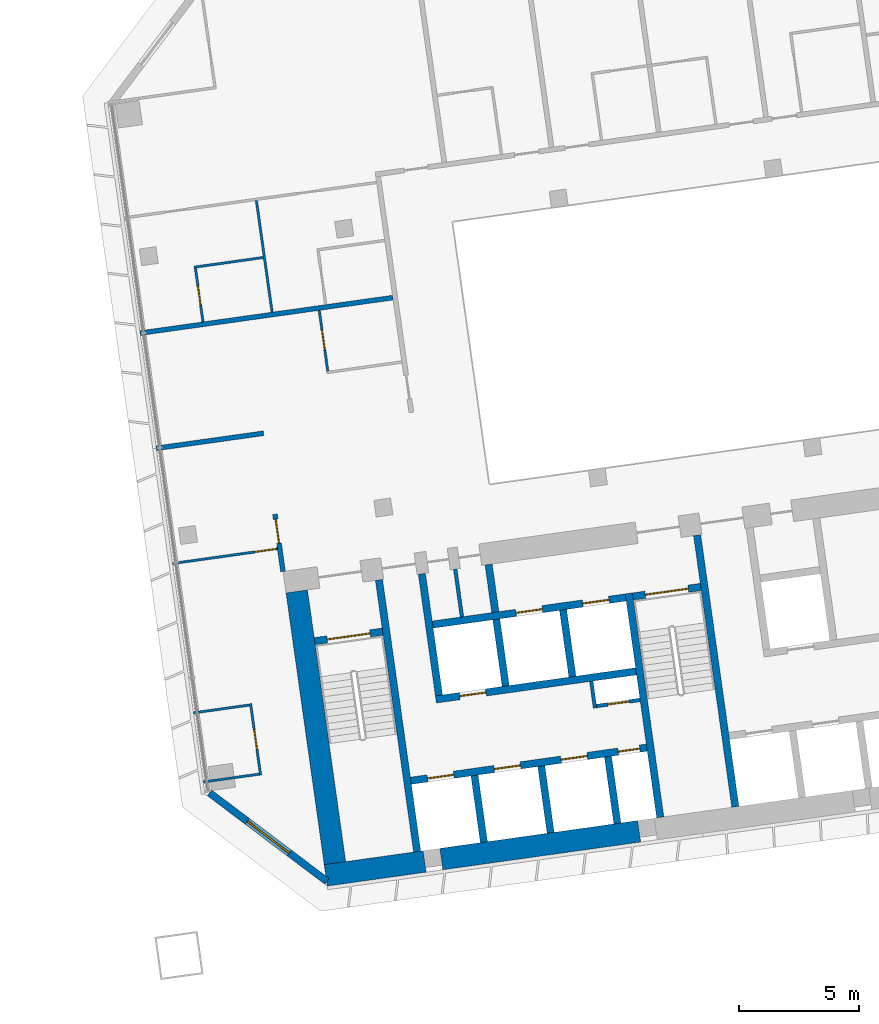
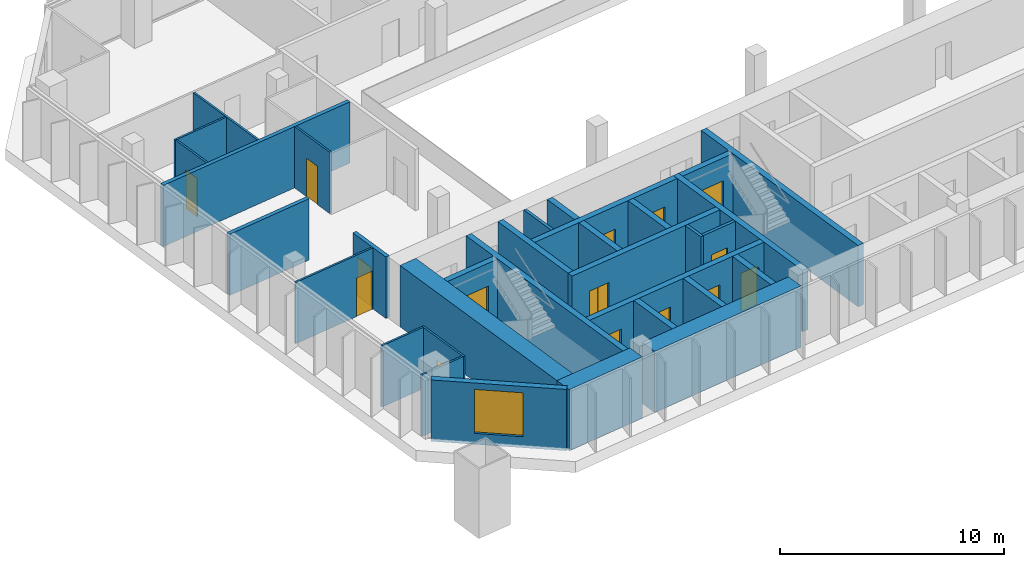
# One storey, part 18 of 24: 33 walls, 15 doors, 1 window, 16 openings.
"""IFC4 building model written with IfcOpenShell, lengths in metres."""

import ifcopenshell
import ifcopenshell.guid

model = None  # the IFC model being written
_history = None  # IfcOwnerHistory: only IFC2X3 demands one
_inside = {}  # id of a spatial element -> (the spatial element, [elements in it])
_under = {}  # id of a project, library or spatial element -> (it, [spatial elements below it])
_declared = {}  # id of a project -> (the project, [libraries it declares])
_typed = {}  # id of a type object -> (the type object, [elements of that type])
_made_of = {}  # id of a material, layer set ... -> (it, [elements and type objects made of it])


def new_model(schema):
    """Start an empty IFC model of exactly this schema.

    Asked for "IFC4X3", IfcOpenShell would pick the latest addendum, in which some entities
    have other attributes; the version numbers below select the first issue.
    IFC2X3 requires an IfcOwnerHistory on every rooted entity: one is made here for all.
    """
    global model, _history
    if schema == "IFC4X3":
        model = ifcopenshell.file(schema_version=(4, 3, 0, 0))
    else:
        model = ifcopenshell.file(schema=schema)
    _inside.clear()
    _under.clear()
    _declared.clear()
    _typed.clear()
    _made_of.clear()
    _history = None
    if model.schema == "IFC2X3":
        org = make("IfcOrganization", Name="unknown")
        user = make(
            "IfcPersonAndOrganization",
            ThePerson=make("IfcPerson", FamilyName="unknown"),
            TheOrganization=org,
        )
        app = make(
            "IfcApplication",
            ApplicationDeveloper=org,
            Version="unknown",
            ApplicationFullName="unknown",
            ApplicationIdentifier="unknown",
        )
        _history = make(
            "IfcOwnerHistory",
            OwningUser=user,
            OwningApplication=app,
            ChangeAction="ADDED",
            CreationDate=0,
        )
    return model


def make(cls, **values):
    """One entity of the class cls with the attributes given. An attribute that is None is left unset."""
    return model.create_entity(
        cls, **{name: value for name, value in values.items() if value is not None}
    )


def rooted(cls, **values):
    """An entity with a GlobalId (a new one), such as an element, a storey or a relation."""
    return make(cls, GlobalId=ifcopenshell.guid.new(), OwnerHistory=_history, **values)


def si_unit(unit_type, name, prefix=None):
    """IfcSIUnit, for example si_unit("LENGTHUNIT", "METRE", prefix="MILLI")."""
    return make("IfcSIUnit", UnitType=unit_type, Prefix=prefix, Name=name)


def assignment(units):
    """IfcUnitAssignment: the units of a project."""
    return None if units is None else make("IfcUnitAssignment", Units=units)


def point(xyz):
    """IfcCartesianPoint."""
    return None if xyz is None else make("IfcCartesianPoint", Coordinates=xyz)


def direction(xyz):
    """IfcDirection."""
    return None if xyz is None else make("IfcDirection", DirectionRatios=xyz)


def frame(location, z_axis=None, x_axis=None):
    """IfcAxis2Placement3D, a coordinate frame: its origin and axes. An axis left out is left unset."""
    return make(
        "IfcAxis2Placement3D",
        Location=point(location),
        Axis=direction(z_axis),
        RefDirection=direction(x_axis),
    )


def frame_2d(location, x_axis=None):
    """IfcAxis2Placement2D, a coordinate frame in the plane: its origin and x axis."""
    return make(
        "IfcAxis2Placement2D", Location=point(location), RefDirection=direction(x_axis)
    )


def origin():
    """The frame at (0, 0, 0) with its axes left unset."""
    return frame((0.0, 0.0, 0.0))


def place(relative_to, where):
    """IfcLocalPlacement: puts the frame where relative to a parent placement (None: the world)."""
    return make(
        "IfcLocalPlacement", PlacementRelTo=relative_to, RelativePlacement=where
    )


def context(
    kind, dimensions, precision=None, world=None, true_north=None, identifier=None
):
    """IfcGeometricRepresentationContext, for example the 3D "Model" context."""
    return make(
        "IfcGeometricRepresentationContext",
        ContextIdentifier=identifier,
        ContextType=kind,
        CoordinateSpaceDimension=dimensions,
        Precision=precision,
        WorldCoordinateSystem=world,
        TrueNorth=true_north,
    )


def subcontext(parent, identifier, kind, view, scale=None):
    """IfcGeometricRepresentationSubContext, for example "Body" below "Model"."""
    return make(
        "IfcGeometricRepresentationSubContext",
        ContextIdentifier=identifier,
        ContextType=kind,
        ParentContext=parent,
        TargetScale=scale,
        TargetView=view,
    )


def project(units=None, contexts=None):
    """IfcProject with its units and contexts."""
    return rooted(
        "IfcProject",
        Name="project",
        RepresentationContexts=contexts,
        UnitsInContext=assignment(units),
    )


def spatial(cls, under=None, at=None, **own):
    """A site, building, storey or space (cls), placed at a placement, below another one or the project."""
    s = rooted(cls, ObjectPlacement=at, **own)
    if under is not None:
        _under.setdefault(under.id(), (under, []))[1].append(s)
    return s


def profile(cls, at=None, kind="AREA", **sizes):
    """A parametric profile (cls). Its sizes go by their IFC names, for example OverallWidth=200.0."""
    return make(cls, ProfileType=kind, Position=at, **sizes)


def rectangle(**sizes):
    """IfcRectangleProfileDef."""
    return profile("IfcRectangleProfileDef", **sizes)


def extrude(swept, where, along, depth):
    """IfcExtrudedAreaSolid: the profile swept, set in the frame where, extruded along a direction by depth."""
    return make(
        "IfcExtrudedAreaSolid",
        SweptArea=swept,
        Position=where,
        ExtrudedDirection=direction(along),
        Depth=depth,
    )


def shape(context_of_items, identifier, shape_type, items):
    """IfcShapeRepresentation: the items that make up one representation, for example the "Body"."""
    return make(
        "IfcShapeRepresentation",
        ContextOfItems=context_of_items,
        RepresentationIdentifier=identifier,
        RepresentationType=shape_type,
        Items=items,
    )


def material(Name=None, Category=None):
    """IfcMaterial."""
    return make("IfcMaterial", Name=Name, Category=Category)


def layer(
    of_material, thickness, ventilated=None, Name=None, Category=None, Priority=None
):
    """IfcMaterialLayer: one layer of a wall or slab, of a material (None: an air gap)."""
    return make(
        "IfcMaterialLayer",
        Material=of_material,
        LayerThickness=thickness,
        IsVentilated=ventilated,
        Name=Name,
        Category=Category,
        Priority=Priority,
    )


def layer_set(layers, Name=None):
    """IfcMaterialLayerSet."""
    return make("IfcMaterialLayerSet", MaterialLayers=layers, LayerSetName=Name)


def made_of(thing, what):
    """Note that an element or type object is made of a material, layer set ...; save() writes the relation."""
    if what is not None:
        _made_of.setdefault(what.id(), (what, []))[1].append(thing)
    return thing


def type_object(cls, material=None, **own):
    """A type object (cls), such as IfcWallType, which elements share."""
    return made_of(rooted(cls, **own), material)


def element(
    cls,
    number,
    at=None,
    inside=None,
    cuts=None,
    type_object=None,
    material=None,
    context=None,
    identifier="Body",
    shape_type=None,
    held_by="IfcProductDefinitionShape",
    body=None,
    shapes=None,
    **own,
):
    """One element of the class cls, such as IfcWall. Its Tag is "e" and its number.

    at: its placement. inside: the storey or other place that contains it. cuts: it is an
    opening in that element (IfcRelVoidsElement). A single representation is given by context,
    identifier, shape_type and body (its items); several are given by shapes. held_by: the class
    of the entity that holds the representations. save() writes the other relations.
    """
    e = rooted(cls, Tag="e%d" % number, ObjectPlacement=at, **own)
    if body is not None:
        shapes = [shape(context, identifier, shape_type, body)]
    if shapes is not None:
        e.Representation = make(held_by, Representations=shapes)
    if inside is not None:
        _inside.setdefault(inside.id(), (inside, []))[1].append(e)
    if cuts is not None:
        rooted(
            "IfcRelVoidsElement", RelatingBuildingElement=cuts, RelatedOpeningElement=e
        )
    if type_object is not None:
        _typed.setdefault(type_object.id(), (type_object, []))[1].append(e)
    return made_of(e, material)


def fill(opening, filler):
    """IfcRelFillsElement: the door or window that sits in an opening."""
    return rooted(
        "IfcRelFillsElement",
        RelatingOpeningElement=opening,
        RelatedBuildingElement=filler,
    )


def aggregate(whole, parts):
    """IfcRelAggregates: a whole, such as a stair, and the parts it consists of."""
    return rooted("IfcRelAggregates", RelatingObject=whole, RelatedObjects=parts)


def save(model, path):
    """Write the relations noted so far, then the file.

    IfcRelAggregates (storeys below a building ...), IfcRelContainedInSpatialStructure (elements
    in a storey), IfcRelDefinesByType, IfcRelAssociatesMaterial and IfcRelDeclares: one each for
    every whole, place, type object, material and project.
    """
    for whole, parts in _under.values():
        aggregate(whole, parts)
    for where, things in _inside.values():
        rooted(
            "IfcRelContainedInSpatialStructure",
            RelatedElements=things,
            RelatingStructure=where,
        )
    for kind, things in _typed.values():
        rooted("IfcRelDefinesByType", RelatedObjects=things, RelatingType=kind)
    for what, things in _made_of.values():
        rooted("IfcRelAssociatesMaterial", RelatedObjects=things, RelatingMaterial=what)
    for by, libraries in _declared.values():
        rooted("IfcRelDeclares", RelatingContext=by, RelatedDefinitions=libraries)
    model.write(path)


model = new_model("IFC4")

# Units and contexts
model_context = context("Model", 3, precision=1e-05, world=origin(), true_north=direction((0.0, 1.0)))
body_context = subcontext(model_context, "Body", "Model", "MODEL_VIEW")
ifc_project = project(units=[si_unit("LENGTHUNIT", "METRE"), si_unit("AREAUNIT", "SQUARE_METRE"), si_unit("VOLUMEUNIT", "CUBIC_METRE"), si_unit("PLANEANGLEUNIT", "RADIAN"), si_unit("MASSUNIT", "GRAM", prefix="KILO")], contexts=[model_context])

# Site, building, storey
site_placement = place(None, origin())
site = spatial("IfcSite", under=ifc_project, at=site_placement, CompositionType="ELEMENT")
building_placement = place(site_placement, origin())
building = spatial("IfcBuilding", under=site, at=building_placement, Name="Mirante Cascada Hotel Towers", CompositionType="ELEMENT")
storey_placement = place(building_placement, frame((0.0, 0.0, 43.3)))
storey = spatial("IfcBuildingStorey", under=building, at=storey_placement, Name="L07", CompositionType="ELEMENT", Elevation=43.3)

# Walls
ifc_material_1 = material(Name="Fire-rated plasterboard on metal studs")
ifc_layer_1 = layer(ifc_material_1, 0.2)
ifc_layer_set_1 = layer_set([ifc_layer_1], Name="Compartment wall 200 EI 120")
wall_type_1 = type_object("IfcWallType", Name="Compartment wall 200 EI 120", PredefinedType="PARTITIONING", material=ifc_layer_set_1)
wall_1_placement = place(storey_placement, frame((30.0, -2.0, 0.0), z_axis=(0.0, 0.0, 1.0), x_axis=(0.9902674, 0.1391779, 0.0)))
element("IfcWall", 1, at=wall_1_placement, inside=storey, type_object=wall_type_1, Name="Wall 2-L07-08", PredefinedType="PARTITIONING", context=body_context, shape_type="SweptSolid", body=[
    extrude(rectangle(XDim=4.5, YDim=0.2, at=frame_2d((2.25, 0.0))), origin(), (0.0, 0.0, 1.0), 3.35),
])
wall_2_placement = place(storey_placement, frame((39.8242, 4.2615, 0.0), z_axis=(0.0, 0.0, 1.0), x_axis=(-0.9902686, -0.1391691, 0.0)))
element("IfcWall", 2, at=wall_2_placement, inside=storey, type_object=wall_type_1, Name="Wall 2-L07-13", PredefinedType="PARTITIONING", context=body_context, shape_type="SweptSolid", body=[
    extrude(rectangle(XDim=10.6001, YDim=0.2, at=frame_2d((5.3, 0.0))), origin(), (0.0, 0.0, 1.0), 3.35),
])

# Wall, opening, door
wall_3_placement = place(storey_placement, frame((34.9294, -4.7406, 0.0), z_axis=(0.0, 0.0, 1.0), x_axis=(0.1391635, -0.9902694, 0.0)))
wall_3 = element("IfcWall", 3, at=wall_3_placement, inside=storey, type_object=wall_type_1, Name="Wall 2-L07-29", PredefinedType="PARTITIONING", context=body_context, shape_type="SweptSolid", body=[
    extrude(rectangle(XDim=2.4001, YDim=0.2, at=frame_2d((1.2, 0.0))), origin(), (0.0, 0.0, 1.0), 3.35),
])
opening_1_placement = place(wall_3_placement, frame((0.2167, 0.0, 0.0)))
opening_1 = element("IfcOpeningElement", 4, at=opening_1_placement, cuts=wall_3, Name="Opening D2-L07-29", PredefinedType="OPENING", context=body_context, shape_type="SweptSolid", body=[
    extrude(rectangle(XDim=1.0, YDim=2.1, at=frame_2d((0.5, 1.05))), frame((0.0, 0.1, 0.0), z_axis=(0.0, -1.0, 0.0), x_axis=(1.0, 0.0, 0.0)), (0.0, 0.0, 1.0), 0.2),
])
ifc_material_2 = material(Name="Fire-rated timber door leaf", Category="wood")
door_type_1 = type_object("IfcDoorType", Name="Entrance door DG1 1000x2100 EI 60", OperationType="SINGLE_SWING_LEFT", PredefinedType="DOOR", material=ifc_material_2)
door_1_placement = place(opening_1_placement, frame((1.0, 0.0, 0.0), z_axis=(0.0, 0.0, 1.0), x_axis=(-1.0, 0.0, 0.0)))
door_1 = element("IfcDoor", 5, at=door_1_placement, inside=storey, type_object=door_type_1, Name="Door D2-L07-29", OperationType="SINGLE_SWING_RIGHT", OverallHeight=2.1, OverallWidth=1.0, PredefinedType="DOOR", context=body_context, shape_type="SweptSolid", body=[
    extrude(rectangle(XDim=1.0, YDim=2.1, at=frame_2d((0.5, 1.05))), frame((0.0, 0.025, 0.0), z_axis=(0.0, -1.0, 0.0), x_axis=(1.0, 0.0, 0.0)), (0.0, 0.0, 1.0), 0.05),
])
fill(opening_1, door_1)

# Wall
ifc_material_3 = material(Name="Masonry block", Category="masonry")
ifc_layer_2 = layer(ifc_material_3, 0.15)
ifc_layer_set_2 = layer_set([ifc_layer_2], Name="Core room partition 150 block EI 30")
wall_type_2 = type_object("IfcWallType", Name="Core room partition 150 block EI 30", PredefinedType="PARTITIONING", material=ifc_layer_set_2)
wall_4_placement = place(storey_placement, frame((48.2295, -12.793, 0.0), z_axis=(0.0, 0.0, 1.0), x_axis=(-0.1391935, 0.9902652, 0.0)))
element("IfcWall", 6, at=wall_4_placement, inside=storey, type_object=wall_type_2, Name="Core wall partition T2 L07 2", PredefinedType="PARTITIONING", context=body_context, shape_type="SweptSolid", body=[
    extrude(rectangle(XDim=1.1251, YDim=0.15, at=frame_2d((0.5626, 0.0))), origin(), (0.0, 0.0, 1.0), 3.35),
])

# Wall, opening, door
wall_5_placement = place(storey_placement, frame((48.2933, -12.7083, 0.0), z_axis=(0.0, 0.0, 1.0), x_axis=(0.990268, 0.1391734, 0.0)))
wall_5 = element("IfcWall", 7, at=wall_5_placement, inside=storey, type_object=wall_type_2, Name="Core wall partition T2 L07 3", PredefinedType="PARTITIONING", context=body_context, shape_type="SweptSolid", body=[
    extrude(rectangle(XDim=1.8251, YDim=0.15, at=frame_2d((0.9126, 0.0))), origin(), (0.0, 0.0, 1.0), 3.35),
])
opening_2_placement = place(wall_5_placement, frame((0.4625, 0.0, 0.0)))
opening_2 = element("IfcOpeningElement", 8, at=opening_2_placement, cuts=wall_5, Name="Opening D2-07-C23", PredefinedType="OPENING", context=body_context, shape_type="SweptSolid", body=[
    extrude(rectangle(XDim=0.9, YDim=2.1, at=frame_2d((0.45, 1.05))), frame((0.0, 0.075, 0.0), z_axis=(0.0, -1.0, 0.0), x_axis=(1.0, 0.0, 0.0)), (0.0, 0.0, 1.0), 0.15),
])
ifc_material_4 = material(Name="Hollow metal fire door leaf")
door_type_2 = type_object("IfcDoorType", Name="Fire door 900x2100 FD60", OperationType="NOTDEFINED", PredefinedType="DOOR", material=ifc_material_4)
door_2_placement = place(opening_2_placement, frame((0.9, 0.0, 0.0), z_axis=(0.0, 0.0, 1.0), x_axis=(-1.0, 0.0, 0.0)))
door_2 = element("IfcDoor", 9, at=door_2_placement, inside=storey, type_object=door_type_2, Name="Riser door T2 L07 23", OperationType="SINGLE_SWING_RIGHT", OverallHeight=2.1, OverallWidth=0.9, PredefinedType="DOOR", context=body_context, shape_type="SweptSolid", body=[
    extrude(rectangle(XDim=0.9, YDim=2.1, at=frame_2d((0.45, 1.05))), frame((0.0, 0.025, 0.0), z_axis=(0.0, -1.0, 0.0), x_axis=(1.0, 0.0, 0.0)), (0.0, 0.0, 1.0), 0.05),
])
fill(opening_2, door_2)

# Walls
wall_6_placement = place(storey_placement, frame((42.6979, -9.0009, 0.0), z_axis=(0.0, 0.0, 1.0), x_axis=(-0.1391529, 0.9902709, 0.0)))
element("IfcWall", 10, at=wall_6_placement, inside=storey, type_object=wall_type_2, Name="Core wall partition T2 L07 4", PredefinedType="PARTITIONING", context=body_context, shape_type="SweptSolid", body=[
    extrude(rectangle(XDim=2.0, YDim=0.15, at=frame_2d((1.0, 0.0))), origin(), (0.0, 0.0, 1.0), 3.35),
])
ifc_material_5 = material(Name="Masonry block", Category="masonry")
ifc_layer_3 = layer(ifc_material_5, 0.3)
ifc_layer_set_3 = layer_set([ifc_layer_3], Name="Core wall 300 block EI 120")
wall_type_3 = type_object("IfcWallType", Name="Core wall 300 block EI 120", PredefinedType="PARTITIONING", material=ifc_layer_set_3)
wall_7_placement = place(storey_placement, frame((44.0843, -8.8061, 0.0), z_axis=(0.0, 0.0, 1.0), x_axis=(-0.1391951, 0.990265, 0.0)))
element("IfcWall", 11, at=wall_7_placement, inside=storey, type_object=wall_type_3, Name="Core wall partition T2 L07 1", PredefinedType="PARTITIONING", context=body_context, shape_type="SweptSolid", body=[
    extrude(rectangle(XDim=2.0001, YDim=0.3, at=frame_2d((1.0001, 0.0))), origin(), (0.0, 0.0, 1.0), 3.35),
])
ifc_material_6 = material(Name="Plasterboard on metal studs")
ifc_layer_4 = layer(ifc_material_6, 0.1)
ifc_layer_set_4 = layer_set([ifc_layer_4], Name="Partition 100")
wall_type_4 = type_object("IfcWallType", Name="Partition 100", PredefinedType="PARTITIONING", material=ifc_layer_set_4)
for number, where, z_axis, x_axis, name in (
    (12, (31.9484, -15.8638, 0.0), (0.0, 0.0, 1.0), (0.9902661, 0.139187, 0.0), "Wall 2-L07-02"),
    (13, (33.872, -12.6649, 0.0), (0.0, 0.0, 1.0), (-0.9902661, -0.139187, 0.0), "Wall 2-L07-03"),
):
    element("IfcWall", number, at=place(storey_placement, frame(where, z_axis=z_axis, x_axis=x_axis)), inside=storey, type_object=wall_type_4, Name=name, PredefinedType="PARTITIONING", context=body_context, shape_type="SweptSolid", body=[
        extrude(rectangle(XDim=2.3501, YDim=0.1, at=frame_2d((1.175, 0.0))), origin(), (0.0, 0.0, 1.0), 3.35),
    ])

# Wall, opening, door
wall_8_placement = place(storey_placement, frame((30.6727, -6.7863, 0.0), z_axis=(0.0, 0.0, 1.0), x_axis=(0.9902665, 0.1391841, 0.0)))
wall_8 = element("IfcWall", 14, at=wall_8_placement, inside=storey, type_object=wall_type_4, Name="Wall 2-L07-04", PredefinedType="PARTITIONING", context=body_context, shape_type="SweptSolid", body=[
    extrude(rectangle(XDim=4.3999, YDim=0.1, at=frame_2d((2.2, 0.0))), origin(), (0.0, 0.0, 1.0), 3.35),
])
opening_3_placement = place(wall_8_placement, frame((3.45, 0.0, 0.0)))
opening_3 = element("IfcOpeningElement", 15, at=opening_3_placement, cuts=wall_8, Name="Opening D2-L07-02", PredefinedType="OPENING", context=body_context, shape_type="SweptSolid", body=[
    extrude(rectangle(XDim=0.9, YDim=2.1, at=frame_2d((0.45, 1.05))), frame((0.0, 0.05, 0.0), z_axis=(0.0, -1.0, 0.0), x_axis=(1.0, 0.0, 0.0)), (0.0, 0.0, 1.0), 0.1),
])
ifc_material_7 = material(Name="Timber door leaf", Category="wood")
door_type_3 = type_object("IfcDoorType", Name="Room door DG3 900x2100", OperationType="SINGLE_SWING_LEFT", PredefinedType="DOOR", material=ifc_material_7)
door_3_placement = place(opening_3_placement, frame((0.9, 0.0, 0.0), z_axis=(0.0, 0.0, 1.0), x_axis=(-1.0, 0.0, 0.0)))
door_3 = element("IfcDoor", 16, at=door_3_placement, inside=storey, type_object=door_type_3, Name="Door D2-L07-02", OperationType="SINGLE_SWING_RIGHT", OverallHeight=2.1, OverallWidth=0.9, PredefinedType="DOOR", context=body_context, shape_type="SweptSolid", body=[
    extrude(rectangle(XDim=0.9, YDim=2.1, at=frame_2d((0.45, 1.05))), frame((0.0, 0.025, 0.0), z_axis=(0.0, -1.0, 0.0), x_axis=(1.0, 0.0, 0.0)), (0.0, 0.0, 1.0), 0.05),
])
fill(opening_3, door_3)

# Wall
wall_9_placement = place(storey_placement, frame((34.4398, 5.9284, 0.0), z_axis=(0.0, 0.0, 1.0), x_axis=(-0.9902683, -0.1391714, 0.0)))
element("IfcWall", 17, at=wall_9_placement, inside=storey, type_object=wall_type_4, Name="Wall 2-L07-15", PredefinedType="PARTITIONING", context=body_context, shape_type="SweptSolid", body=[
    extrude(rectangle(XDim=2.9, YDim=0.1, at=frame_2d((1.45, 0.0))), origin(), (0.0, 0.0, 1.0), 3.35),
])

# Wall, opening, door
wall_10_placement = place(storey_placement, frame((33.9145, -12.6084, 0.0), z_axis=(0.0, 0.0, 1.0), x_axis=(0.1391624, -0.9902696, 0.0)))
wall_10 = element("IfcWall", 18, at=wall_10_placement, inside=storey, type_object=wall_type_4, Name="Wall 2-L07-27", PredefinedType="PARTITIONING", context=body_context, shape_type="SweptSolid", body=[
    extrude(rectangle(XDim=3.0001, YDim=0.1, at=frame_2d((1.5001, 0.0))), origin(), (0.0, 0.0, 1.0), 3.35),
])
opening_4_placement = place(wall_10_placement, frame((1.1, 0.0, 0.0)))
opening_4 = element("IfcOpeningElement", 19, at=opening_4_placement, cuts=wall_10, Name="Opening D2-L07-27", PredefinedType="OPENING", context=body_context, shape_type="SweptSolid", body=[
    extrude(rectangle(XDim=0.8, YDim=2.1, at=frame_2d((0.4, 1.05))), frame((0.0, 0.05, 0.0), z_axis=(0.0, -1.0, 0.0), x_axis=(1.0, 0.0, 0.0)), (0.0, 0.0, 1.0), 0.1),
])
ifc_material_8 = material(Name="Timber door leaf", Category="wood")
door_type_4 = type_object("IfcDoorType", Name="Bathroom door DG4 800x2100", OperationType="SINGLE_SWING_LEFT", PredefinedType="DOOR", material=ifc_material_8)
door_4_placement = place(opening_4_placement, origin())
door_4 = element("IfcDoor", 20, at=door_4_placement, inside=storey, type_object=door_type_4, Name="Door D2-L07-27", OperationType="SINGLE_SWING_LEFT", OverallHeight=2.1, OverallWidth=0.8, PredefinedType="DOOR", context=body_context, shape_type="SweptSolid", body=[
    extrude(rectangle(XDim=0.8, YDim=2.1, at=frame_2d((0.4, 1.05))), frame((0.0, 0.025, 0.0), z_axis=(0.0, -1.0, 0.0), x_axis=(1.0, 0.0, 0.0)), (0.0, 0.0, 1.0), 0.05),
])
fill(opening_4, door_4)

wall_11_placement = place(storey_placement, frame((31.9376, 3.2541, 0.0), z_axis=(0.0, 0.0, 1.0), x_axis=(-0.1391561, 0.9902705, 0.0)))
wall_11 = element("IfcWall", 21, at=wall_11_placement, inside=storey, type_object=wall_type_4, Name="Wall 2-L07-28", PredefinedType="PARTITIONING", context=body_context, shape_type="SweptSolid", body=[
    extrude(rectangle(XDim=2.25, YDim=0.1, at=frame_2d((1.125, 0.0))), origin(), (0.0, 0.0, 1.0), 3.35),
])
opening_5_placement = place(wall_11_placement, frame((0.7, 0.0, 0.0)))
opening_5 = element("IfcOpeningElement", 22, at=opening_5_placement, cuts=wall_11, Name="Opening D2-L07-28", PredefinedType="OPENING", context=body_context, shape_type="SweptSolid", body=[
    extrude(rectangle(XDim=0.8, YDim=2.1, at=frame_2d((0.4, 1.05))), frame((0.0, 0.05, 0.0), z_axis=(0.0, -1.0, 0.0), x_axis=(1.0, 0.0, 0.0)), (0.0, 0.0, 1.0), 0.1),
])
door_5_placement = place(opening_5_placement, frame((0.8, 0.0, 0.0), z_axis=(0.0, 0.0, 1.0), x_axis=(-1.0, 0.0, 0.0)))
door_5 = element("IfcDoor", 23, at=door_5_placement, inside=storey, type_object=door_type_4, Name="Door D2-L07-28", OperationType="SINGLE_SWING_RIGHT", OverallHeight=2.1, OverallWidth=0.8, PredefinedType="DOOR", context=body_context, shape_type="SweptSolid", body=[
    extrude(rectangle(XDim=0.8, YDim=2.1, at=frame_2d((0.4, 1.05))), frame((0.0, 0.025, 0.0), z_axis=(0.0, -1.0, 0.0), x_axis=(1.0, 0.0, 0.0)), (0.0, 0.0, 1.0), 0.05),
])
fill(opening_5, door_5)

# Wall
wall_12_placement = place(storey_placement, frame((34.1576, 8.2955, 0.0), z_axis=(0.0, 0.0, 1.0), x_axis=(0.139173, -0.9902681, 0.0)))
element("IfcWall", 24, at=wall_12_placement, inside=storey, type_object=wall_type_4, Name="Wall 2-L07-31", PredefinedType="PARTITIONING", context=body_context, shape_type="SweptSolid", body=[
    extrude(rectangle(XDim=4.6834, YDim=0.1, at=frame_2d((2.3417, 0.0))), origin(), (0.0, 0.0, 1.0), 3.35),
])

# Wall, opening, door
wall_13_placement = place(storey_placement, frame((37.1232, 1.2059, 0.0), z_axis=(0.0, 0.0, 1.0), x_axis=(-0.1391809, 0.990267, 0.0)))
wall_13 = element("IfcWall", 25, at=wall_13_placement, inside=storey, type_object=wall_type_4, Name="Wall 2-L07-32", PredefinedType="PARTITIONING", context=body_context, shape_type="SweptSolid", body=[
    extrude(rectangle(XDim=2.5499, YDim=0.1, at=frame_2d((1.275, 0.0))), origin(), (0.0, 0.0, 1.0), 3.35),
])
opening_6_placement = place(wall_13_placement, frame((0.9, 0.0, 0.0)))
opening_6 = element("IfcOpeningElement", 26, at=opening_6_placement, cuts=wall_13, Name="Opening D2-L07-31", PredefinedType="OPENING", context=body_context, shape_type="SweptSolid", body=[
    extrude(rectangle(XDim=0.8, YDim=2.1, at=frame_2d((0.4, 1.05))), frame((0.0, 0.05, 0.0), z_axis=(0.0, -1.0, 0.0), x_axis=(1.0, 0.0, 0.0)), (0.0, 0.0, 1.0), 0.1),
])
door_6_placement = place(opening_6_placement, origin())
door_6 = element("IfcDoor", 27, at=door_6_placement, inside=storey, type_object=door_type_4, Name="Door D2-L07-31", OperationType="SINGLE_SWING_LEFT", OverallHeight=2.1, OverallWidth=0.8, PredefinedType="DOOR", context=body_context, shape_type="SweptSolid", body=[
    extrude(rectangle(XDim=0.8, YDim=2.1, at=frame_2d((0.4, 1.05))), frame((0.0, 0.025, 0.0), z_axis=(0.0, -1.0, 0.0), x_axis=(1.0, 0.0, 0.0)), (0.0, 0.0, 1.0), 0.05),
])
fill(opening_6, door_6)

# Wall, opening, window
ifc_material_9 = material(Name="Precast concrete C40/50", Category="concrete")
ifc_layer_5 = layer(ifc_material_9, 0.3)
ifc_layer_set_5 = layer_set([ifc_layer_5], Name="Precast concrete C40/50 cladding wall 300")
wall_type_5 = type_object("IfcWallType", Name="Precast concrete C40/50 cladding wall 300", PredefinedType="STANDARD", material=ifc_layer_set_5)
wall_14_placement = place(storey_placement, frame((32.2074, -16.3138, 0.0), z_axis=(0.0, 0.0, 1.0), x_axis=(0.7986362, -0.6018141, 0.0)))
wall_14 = element("IfcWall", 28, at=wall_14_placement, inside=storey, type_object=wall_type_5, Name="Corner cladding wall T2 L07 inner rear", PredefinedType="STANDARD", context=body_context, shape_type="SweptSolid", body=[
    extrude(rectangle(XDim=6.1157, YDim=0.3, at=frame_2d((3.0578, 0.0))), origin(), (0.0, 0.0, 1.0), 3.35),
])
opening_7_placement = place(wall_14_placement, frame((1.9578, 0.0, 0.6)))
opening_7 = element("IfcOpeningElement", 29, at=opening_7_placement, cuts=wall_14, Name="Opening W2-07-05", PredefinedType="OPENING", context=body_context, shape_type="SweptSolid", body=[
    extrude(rectangle(XDim=2.2, YDim=2.4, at=frame_2d((1.1, 1.2))), frame((0.0, 0.15, 0.0), z_axis=(0.0, -1.0, 0.0), x_axis=(1.0, 0.0, 0.0)), (0.0, 0.0, 1.0), 0.3),
])
ifc_material_10 = material(Name="Aluminium frame with clear double glazing", Category="aluminium")
window_type = type_object("IfcWindowType", Name="Corner suite window 2200x2400", PartitioningType="DOUBLE_PANEL_VERTICAL", PredefinedType="WINDOW", material=ifc_material_10)
window_placement = place(opening_7_placement, origin())
window = element("IfcWindow", 30, at=window_placement, inside=storey, type_object=window_type, Name="Window W2-07-05", OverallHeight=2.4, OverallWidth=2.2, PartitioningType="SINGLE_PANEL", PredefinedType="WINDOW", context=body_context, shape_type="SweptSolid", body=[
    extrude(rectangle(XDim=2.2, YDim=2.4, at=frame_2d((1.1, 1.2))), frame((0.0, 0.03, 0.0), z_axis=(0.0, -1.0, 0.0), x_axis=(1.0, 0.0, 0.0)), (0.0, 0.0, 1.0), 0.06),
])
fill(opening_7, window)

# Walls
ifc_material_11 = material(Name="Concrete C50/60", Category="concrete")
ifc_layer_6 = layer(ifc_material_11, 0.3)
ifc_layer_set_6 = layer_set([ifc_layer_6], Name="RC core wall 300 C50/60")
wall_type_6 = type_object("IfcWallType", Name="RC core wall 300 C50/60", PredefinedType="SHEAR", material=ifc_layer_set_6)
wall_15_placement = place(storey_placement, frame((40.8373, -18.7548, 0.0), z_axis=(0.0, 0.0, 1.0), x_axis=(-0.1391749, 0.9902678, 0.0)))
element("IfcWall", 31, at=wall_15_placement, inside=storey, type_object=wall_type_6, Name="Core wall T2:L07:5", PredefinedType="SHEAR", context=body_context, shape_type="SweptSolid", body=[
    extrude(rectangle(XDim=11.4, YDim=0.3, at=frame_2d((5.7, 0.0))), origin(), (0.0, 0.0, 1.0), 3.35),
])
wall_16_placement = place(storey_placement, frame((50.938, -17.3352, 0.0), z_axis=(0.0, 0.0, 1.0), x_axis=(-0.1391706, 0.9902684, 0.0)))
element("IfcWall", 32, at=wall_16_placement, inside=storey, type_object=wall_type_6, Name="Core wall T2:L07:6", PredefinedType="SHEAR", context=body_context, shape_type="SweptSolid", body=[
    extrude(rectangle(XDim=9.4, YDim=0.3, at=frame_2d((4.7, 0.0))), origin(), (0.0, 0.0, 1.0), 3.35),
])
wall_17_placement = place(storey_placement, frame((54.0574, -16.8968, 0.0), z_axis=(0.0, 0.0, 1.0), x_axis=(-0.1391761, 0.9902677, 0.0)))
element("IfcWall", 33, at=wall_17_placement, inside=storey, type_object=wall_type_6, Name="Core wall T2:L07:7", PredefinedType="SHEAR", context=body_context, shape_type="SweptSolid", body=[
    extrude(rectangle(XDim=11.3999, YDim=0.3, at=frame_2d((5.7, 0.0))), origin(), (0.0, 0.0, 1.0), 3.35),
])

# Wall, opening, door
wall_18_placement = place(storey_placement, frame((36.5791, -10.0123, 0.0), z_axis=(0.0, 0.0, 1.0), x_axis=(0.9902704, 0.1391564, 0.0)))
wall_18 = element("IfcWall", 34, at=wall_18_placement, inside=storey, type_object=wall_type_6, Name="Core wall T2:L07:9", PredefinedType="SHEAR", context=body_context, shape_type="SweptSolid", body=[
    extrude(rectangle(XDim=2.85, YDim=0.3, at=frame_2d((1.425, 0.0))), origin(), (0.0, 0.0, 1.0), 3.35),
])
opening_8_placement = place(wall_18_placement, frame((0.525, 0.0, 0.0)))
opening_8 = element("IfcOpeningElement", 35, at=opening_8_placement, cuts=wall_18, Name="Opening D2-07-C13", PredefinedType="OPENING", context=body_context, shape_type="SweptSolid", body=[
    extrude(rectangle(XDim=1.8, YDim=2.1, at=frame_2d((0.9, 1.05))), frame((0.0, 0.15, 0.0), z_axis=(0.0, -1.0, 0.0), x_axis=(1.0, 0.0, 0.0)), (0.0, 0.0, 1.0), 0.3),
])
ifc_material_12 = material(Name="Hollow metal fire door leaf")
door_type_5 = type_object("IfcDoorType", Name="Double fire door 1800x2100 FD60", OperationType="DOUBLE_DOOR_SINGLE_SWING", PredefinedType="DOOR", material=ifc_material_12)
door_7_placement = place(opening_8_placement, frame((1.8, 0.0, 0.0), z_axis=(0.0, 0.0, 1.0), x_axis=(-1.0, 0.0, 0.0)))
door_7 = element("IfcDoor", 36, at=door_7_placement, inside=storey, type_object=door_type_5, Name="Stair door T2 L07 13", OperationType="DOUBLE_DOOR_SINGLE_SWING", OverallHeight=2.1, OverallWidth=1.8, PredefinedType="DOOR", context=body_context, shape_type="SweptSolid", body=[
    extrude(rectangle(XDim=0.895, YDim=2.1, at=frame_2d((0.4475, 1.05))), frame((0.0, 0.025, 0.0), z_axis=(0.0, -1.0, 0.0), x_axis=(1.0, 0.0, 0.0)), (0.0, 0.0, 1.0), 0.05),
    extrude(rectangle(XDim=0.895, YDim=2.1, at=frame_2d((1.3525, 1.05))), frame((0.0, 0.025, 0.0), z_axis=(0.0, -1.0, 0.0), x_axis=(1.0, 0.0, 0.0)), (0.0, 0.0, 1.0), 0.05),
])
fill(opening_8, door_7)

wall_19_placement = place(storey_placement, frame((49.7992, -8.1544, 0.0), z_axis=(0.0, 0.0, 1.0), x_axis=(0.9902656, 0.1391909, 0.0)))
wall_19 = element("IfcWall", 37, at=wall_19_placement, inside=storey, type_object=wall_type_6, Name="Core wall T2:L07:10", PredefinedType="SHEAR", context=body_context, shape_type="SweptSolid", body=[
    extrude(rectangle(XDim=2.85, YDim=0.3, at=frame_2d((1.425, 0.0))), origin(), (0.0, 0.0, 1.0), 3.35),
])
opening_9_placement = place(wall_19_placement, frame((0.525, 0.0, 0.0)))
opening_9 = element("IfcOpeningElement", 38, at=opening_9_placement, cuts=wall_19, Name="Opening D2-07-C15", PredefinedType="OPENING", context=body_context, shape_type="SweptSolid", body=[
    extrude(rectangle(XDim=1.8, YDim=2.1, at=frame_2d((0.9, 1.05))), frame((0.0, 0.15, 0.0), z_axis=(0.0, -1.0, 0.0), x_axis=(1.0, 0.0, 0.0)), (0.0, 0.0, 1.0), 0.3),
])
door_8_placement = place(opening_9_placement, frame((1.8, 0.0, 0.0), z_axis=(0.0, 0.0, 1.0), x_axis=(-1.0, 0.0, 0.0)))
door_8 = element("IfcDoor", 39, at=door_8_placement, inside=storey, type_object=door_type_5, Name="Stair door T2 L07 15", OperationType="DOUBLE_DOOR_SINGLE_SWING", OverallHeight=2.1, OverallWidth=1.8, PredefinedType="DOOR", context=body_context, shape_type="SweptSolid", body=[
    extrude(rectangle(XDim=0.895, YDim=2.1, at=frame_2d((0.4475, 1.05))), frame((0.0, 0.025, 0.0), z_axis=(0.0, -1.0, 0.0), x_axis=(1.0, 0.0, 0.0)), (0.0, 0.0, 1.0), 0.05),
    extrude(rectangle(XDim=0.895, YDim=2.1, at=frame_2d((1.3525, 1.05))), frame((0.0, 0.025, 0.0), z_axis=(0.0, -1.0, 0.0), x_axis=(1.0, 0.0, 0.0)), (0.0, 0.0, 1.0), 0.05),
])
fill(opening_9, door_8)

# Wall, openings, doors
wall_20_placement = place(storey_placement, frame((40.5753, -15.8126, 0.0), z_axis=(0.0, 0.0, 1.0), x_axis=(0.9902682, 0.1391725, 0.0)))
wall_20 = element("IfcWall", 40, at=wall_20_placement, inside=storey, type_object=wall_type_6, Name="Core wall T2:L07:12", PredefinedType="SHEAR", context=body_context, shape_type="SweptSolid", body=[
    extrude(rectangle(XDim=9.8999, YDim=0.3, at=frame_2d((4.95, 0.0))), origin(), (0.0, 0.0, 1.0), 3.35),
])
opening_10_placement = place(wall_20_placement, frame((0.7, 0.0, 0.0)))
opening_10 = element("IfcOpeningElement", 41, at=opening_10_placement, cuts=wall_20, Name="Opening LD", PredefinedType="OPENING", context=body_context, shape_type="SweptSolid", body=[
    extrude(rectangle(XDim=1.1, YDim=2.1, at=frame_2d((0.55, 1.05))), frame((0.0, 0.15, 0.0), z_axis=(0.0, -1.0, 0.0), x_axis=(1.0, 0.0, 0.0)), (0.0, 0.0, 1.0), 0.3),
])
opening_11_placement = place(wall_20_placement, frame((3.5, 0.0, 0.0)))
opening_11 = element("IfcOpeningElement", 42, at=opening_11_placement, cuts=wall_20, Name="Opening LD", PredefinedType="OPENING", context=body_context, shape_type="SweptSolid", body=[
    extrude(rectangle(XDim=1.1, YDim=2.1, at=frame_2d((0.55, 1.05))), frame((0.0, 0.15, 0.0), z_axis=(0.0, -1.0, 0.0), x_axis=(1.0, 0.0, 0.0)), (0.0, 0.0, 1.0), 0.3),
])
opening_12_placement = place(wall_20_placement, frame((6.3, 0.0, 0.0)))
opening_12 = element("IfcOpeningElement", 43, at=opening_12_placement, cuts=wall_20, Name="Opening LD", PredefinedType="OPENING", context=body_context, shape_type="SweptSolid", body=[
    extrude(rectangle(XDim=1.1, YDim=2.1, at=frame_2d((0.55, 1.05))), frame((0.0, 0.15, 0.0), z_axis=(0.0, -1.0, 0.0), x_axis=(1.0, 0.0, 0.0)), (0.0, 0.0, 1.0), 0.3),
])
opening_13_placement = place(wall_20_placement, frame((8.7, 0.0, 0.0)))
opening_13 = element("IfcOpeningElement", 44, at=opening_13_placement, cuts=wall_20, Name="Opening D2-07-C22", PredefinedType="OPENING", context=body_context, shape_type="SweptSolid", body=[
    extrude(rectangle(XDim=0.9, YDim=2.1, at=frame_2d((0.45, 1.05))), frame((0.0, 0.15, 0.0), z_axis=(0.0, -1.0, 0.0), x_axis=(1.0, 0.0, 0.0)), (0.0, 0.0, 1.0), 0.3),
])
door_9_placement = place(opening_13_placement, frame((0.9, 0.0, 0.0), z_axis=(0.0, 0.0, 1.0), x_axis=(-1.0, 0.0, 0.0)))
door_9 = element("IfcDoor", 45, at=door_9_placement, inside=storey, type_object=door_type_2, Name="Riser door T2 L07 22", OperationType="SINGLE_SWING_RIGHT", OverallHeight=2.1, OverallWidth=0.9, PredefinedType="DOOR", context=body_context, shape_type="SweptSolid", body=[
    extrude(rectangle(XDim=0.9, YDim=2.1, at=frame_2d((0.45, 1.05))), frame((0.0, 0.025, 0.0), z_axis=(0.0, -1.0, 0.0), x_axis=(1.0, 0.0, 0.0)), (0.0, 0.0, 1.0), 0.05),
])
fill(opening_13, door_9)
ifc_material_13 = material(Name="Stainless steel", Category="steel")
door_type_6 = type_object("IfcDoorType", Name="Lift landing door 1100x2100 EI 120", OperationType="DOUBLE_DOOR_SLIDING", PredefinedType="DOOR", material=ifc_material_13)
door_10_placement = place(opening_10_placement, origin())
door_10 = element("IfcDoor", 46, at=door_10_placement, inside=storey, type_object=door_type_6, Name="Lift landing door HR2-1 L07", OperationType="DOUBLE_DOOR_SLIDING", OverallHeight=2.1, OverallWidth=1.1, PredefinedType="DOOR", context=body_context, shape_type="SweptSolid", body=[
    extrude(rectangle(XDim=0.545, YDim=2.1, at=frame_2d((0.2725, 1.05))), frame((0.0, 0.025, 0.0), z_axis=(0.0, -1.0, 0.0), x_axis=(1.0, 0.0, 0.0)), (0.0, 0.0, 1.0), 0.05),
    extrude(rectangle(XDim=0.545, YDim=2.1, at=frame_2d((0.8275, 1.05))), frame((0.0, 0.025, 0.0), z_axis=(0.0, -1.0, 0.0), x_axis=(1.0, 0.0, 0.0)), (0.0, 0.0, 1.0), 0.05),
])
fill(opening_10, door_10)
door_11_placement = place(opening_11_placement, origin())
door_11 = element("IfcDoor", 47, at=door_11_placement, inside=storey, type_object=door_type_6, Name="Lift landing door HR2-2 L07", OperationType="DOUBLE_DOOR_SLIDING", OverallHeight=2.1, OverallWidth=1.1, PredefinedType="DOOR", context=body_context, shape_type="SweptSolid", body=[
    extrude(rectangle(XDim=0.545, YDim=2.1, at=frame_2d((0.2725, 1.05))), frame((0.0, 0.025, 0.0), z_axis=(0.0, -1.0, 0.0), x_axis=(1.0, 0.0, 0.0)), (0.0, 0.0, 1.0), 0.05),
    extrude(rectangle(XDim=0.545, YDim=2.1, at=frame_2d((0.8275, 1.05))), frame((0.0, 0.025, 0.0), z_axis=(0.0, -1.0, 0.0), x_axis=(1.0, 0.0, 0.0)), (0.0, 0.0, 1.0), 0.05),
])
fill(opening_11, door_11)
door_12_placement = place(opening_12_placement, origin())
door_12 = element("IfcDoor", 48, at=door_12_placement, inside=storey, type_object=door_type_6, Name="Lift landing door HR2-3 L07", OperationType="DOUBLE_DOOR_SLIDING", OverallHeight=2.1, OverallWidth=1.1, PredefinedType="DOOR", context=body_context, shape_type="SweptSolid", body=[
    extrude(rectangle(XDim=0.545, YDim=2.1, at=frame_2d((0.2725, 1.05))), frame((0.0, 0.025, 0.0), z_axis=(0.0, -1.0, 0.0), x_axis=(1.0, 0.0, 0.0)), (0.0, 0.0, 1.0), 0.05),
    extrude(rectangle(XDim=0.545, YDim=2.1, at=frame_2d((0.8275, 1.05))), frame((0.0, 0.025, 0.0), z_axis=(0.0, -1.0, 0.0), x_axis=(1.0, 0.0, 0.0)), (0.0, 0.0, 1.0), 0.05),
])
fill(opening_12, door_12)

# Wall, opening, door
wall_21_placement = place(storey_placement, frame((41.6153, -12.435, 0.0), z_axis=(0.0, 0.0, 1.0), x_axis=(0.9902691, 0.139166, 0.0)))
wall_21 = element("IfcWall", 49, at=wall_21_placement, inside=storey, type_object=wall_type_6, Name="Core wall T2:L07:13", PredefinedType="SHEAR", context=body_context, shape_type="SweptSolid", body=[
    extrude(rectangle(XDim=8.4, YDim=0.3, at=frame_2d((4.2, 0.0))), origin(), (0.0, 0.0, 1.0), 3.35),
])
opening_14_placement = place(wall_21_placement, frame((1.0, 0.0, 0.0)))
opening_14 = element("IfcOpeningElement", 50, at=opening_14_placement, cuts=wall_21, Name="Opening LD", PredefinedType="OPENING", context=body_context, shape_type="SweptSolid", body=[
    extrude(rectangle(XDim=1.1, YDim=2.1, at=frame_2d((0.55, 1.05))), frame((0.0, 0.15, 0.0), z_axis=(0.0, -1.0, 0.0), x_axis=(1.0, 0.0, 0.0)), (0.0, 0.0, 1.0), 0.3),
])
door_13_placement = place(opening_14_placement, origin())
door_13 = element("IfcDoor", 51, at=door_13_placement, inside=storey, type_object=door_type_6, Name="Lift landing door HR2-4 L07", OperationType="DOUBLE_DOOR_SLIDING", OverallHeight=2.1, OverallWidth=1.1, PredefinedType="DOOR", context=body_context, shape_type="SweptSolid", body=[
    extrude(rectangle(XDim=0.545, YDim=2.1, at=frame_2d((0.2725, 1.05))), frame((0.0, 0.025, 0.0), z_axis=(0.0, -1.0, 0.0), x_axis=(1.0, 0.0, 0.0)), (0.0, 0.0, 1.0), 0.05),
    extrude(rectangle(XDim=0.545, YDim=2.1, at=frame_2d((0.8275, 1.05))), frame((0.0, 0.025, 0.0), z_axis=(0.0, -1.0, 0.0), x_axis=(1.0, 0.0, 0.0)), (0.0, 0.0, 1.0), 0.05),
])
fill(opening_14, door_13)

# Wall, openings, doors
wall_22_placement = place(storey_placement, frame((41.481, -9.3234, 0.0), z_axis=(0.0, 0.0, 1.0), x_axis=(0.9902679, 0.1391741, 0.0)))
wall_22 = element("IfcWall", 52, at=wall_22_placement, inside=storey, type_object=wall_type_6, Name="Core wall T2:L07:14", PredefinedType="SHEAR", context=body_context, shape_type="SweptSolid", body=[
    extrude(rectangle(XDim=8.0999, YDim=0.3, at=frame_2d((4.05, 0.0))), origin(), (0.0, 0.0, 1.0), 3.35),
])
opening_15_placement = place(wall_22_placement, frame((3.5, 0.0, 0.0)))
opening_15 = element("IfcOpeningElement", 53, at=opening_15_placement, cuts=wall_22, Name="Opening LD", PredefinedType="OPENING", context=body_context, shape_type="SweptSolid", body=[
    extrude(rectangle(XDim=1.1, YDim=2.1, at=frame_2d((0.55, 1.05))), frame((0.0, 0.15, 0.0), z_axis=(0.0, -1.0, 0.0), x_axis=(1.0, 0.0, 0.0)), (0.0, 0.0, 1.0), 0.3),
])
opening_16_placement = place(wall_22_placement, frame((6.3, 0.0, 0.0)))
opening_16 = element("IfcOpeningElement", 54, at=opening_16_placement, cuts=wall_22, Name="Opening LD", PredefinedType="OPENING", context=body_context, shape_type="SweptSolid", body=[
    extrude(rectangle(XDim=1.1, YDim=2.1, at=frame_2d((0.55, 1.05))), frame((0.0, 0.15, 0.0), z_axis=(0.0, -1.0, 0.0), x_axis=(1.0, 0.0, 0.0)), (0.0, 0.0, 1.0), 0.3),
])
door_14_placement = place(opening_15_placement, origin())
door_14 = element("IfcDoor", 55, at=door_14_placement, inside=storey, type_object=door_type_6, Name="Lift landing door FF3 L07", OperationType="DOUBLE_DOOR_SLIDING", OverallHeight=2.1, OverallWidth=1.1, PredefinedType="DOOR", context=body_context, shape_type="SweptSolid", body=[
    extrude(rectangle(XDim=0.545, YDim=2.1, at=frame_2d((0.2725, 1.05))), frame((0.0, 0.025, 0.0), z_axis=(0.0, -1.0, 0.0), x_axis=(1.0, 0.0, 0.0)), (0.0, 0.0, 1.0), 0.05),
    extrude(rectangle(XDim=0.545, YDim=2.1, at=frame_2d((0.8275, 1.05))), frame((0.0, 0.025, 0.0), z_axis=(0.0, -1.0, 0.0), x_axis=(1.0, 0.0, 0.0)), (0.0, 0.0, 1.0), 0.05),
])
fill(opening_15, door_14)
door_15_placement = place(opening_16_placement, origin())
door_15 = element("IfcDoor", 56, at=door_15_placement, inside=storey, type_object=door_type_6, Name="Lift landing door FF4 L07", OperationType="DOUBLE_DOOR_SLIDING", OverallHeight=2.1, OverallWidth=1.1, PredefinedType="DOOR", context=body_context, shape_type="SweptSolid", body=[
    extrude(rectangle(XDim=0.545, YDim=2.1, at=frame_2d((0.2725, 1.05))), frame((0.0, 0.025, 0.0), z_axis=(0.0, -1.0, 0.0), x_axis=(1.0, 0.0, 0.0)), (0.0, 0.0, 1.0), 0.05),
    extrude(rectangle(XDim=0.545, YDim=2.1, at=frame_2d((0.8275, 1.05))), frame((0.0, 0.025, 0.0), z_axis=(0.0, -1.0, 0.0), x_axis=(1.0, 0.0, 0.0)), (0.0, 0.0, 1.0), 0.05),
])
fill(opening_16, door_15)

# Walls
wall_23_placement = place(storey_placement, frame((43.61, -18.3651, 0.0), z_axis=(0.0, 0.0, 1.0), x_axis=(-0.1391459, 0.9902719, 0.0)))
element("IfcWall", 57, at=wall_23_placement, inside=storey, type_object=wall_type_6, Name="Core wall T2:L07:15", PredefinedType="SHEAR", context=body_context, shape_type="SweptSolid", body=[
    extrude(rectangle(XDim=2.7999, YDim=0.3, at=frame_2d((1.4, 0.0))), origin(), (0.0, 0.0, 1.0), 3.35),
])
wall_24_placement = place(storey_placement, frame((46.3828, -17.9754, 0.0), z_axis=(0.0, 0.0, 1.0), x_axis=(-0.139181, 0.990267, 0.0)))
element("IfcWall", 58, at=wall_24_placement, inside=storey, type_object=wall_type_6, Name="Core wall T2:L07:16", PredefinedType="SHEAR", context=body_context, shape_type="SweptSolid", body=[
    extrude(rectangle(XDim=2.8, YDim=0.3, at=frame_2d((1.4, 0.0))), origin(), (0.0, 0.0, 1.0), 3.35),
])
wall_25_placement = place(storey_placement, frame((49.1555, -17.5857, 0.0), z_axis=(0.0, 0.0, 1.0), x_axis=(-0.1391459, 0.9902719, 0.0)))
element("IfcWall", 59, at=wall_25_placement, inside=storey, type_object=wall_type_6, Name="Core wall T2:L07:17", PredefinedType="SHEAR", context=body_context, shape_type="SweptSolid", body=[
    extrude(rectangle(XDim=2.7999, YDim=0.3, at=frame_2d((1.4, 0.0))), origin(), (0.0, 0.0, 1.0), 3.35),
])
for number, where, z_axis, x_axis, name in (
    (60, (44.5157, -11.8759, 0.0), (0.0, 0.0, 1.0), (-0.139181, 0.990267, 0.0), "Core wall T2:L07:18"),
    (61, (47.2885, -11.4862, 0.0), (0.0, 0.0, 1.0), (-0.139181, 0.990267, 0.0), "Core wall T2:L07:19"),
):
    element("IfcWall", number, at=place(storey_placement, frame(where, z_axis=z_axis, x_axis=x_axis)), inside=storey, type_object=wall_type_6, Name=name, PredefinedType="SHEAR", context=body_context, shape_type="SweptSolid", body=[
        extrude(rectangle(XDim=2.8, YDim=0.3, at=frame_2d((1.4, 0.0))), origin(), (0.0, 0.0, 1.0), 3.35),
    ])
wall_26_placement = place(storey_placement, frame((41.743, -12.2656, 0.0), z_axis=(0.0, 0.0, 1.0), x_axis=(-0.1391755, 0.9902677, 0.0)))
element("IfcWall", 62, at=wall_26_placement, inside=storey, type_object=wall_type_6, Name="Core wall T2:L07:20", PredefinedType="SHEAR", context=body_context, shape_type="SweptSolid", body=[
    extrude(rectangle(XDim=5.1, YDim=0.3, at=frame_2d((2.55, 0.0))), origin(), (0.0, 0.0, 1.0), 3.35),
])
ifc_material_14 = material(Name="Concrete C50/60", Category="concrete")
ifc_layer_7 = layer(ifc_material_14, 0.9)
ifc_layer_set_7 = layer_set([ifc_layer_7], Name="RC core wall 900 C50/60")
wall_type_7 = type_object("IfcWallType", Name="RC core wall 900 C50/60", PredefinedType="SHEAR", material=ifc_layer_set_7)
wall_27_placement = place(storey_placement, frame((37.0379, -19.7432, 0.0), z_axis=(0.0, 0.0, 1.0), x_axis=(0.990267, 0.139181, 0.0)))
element("IfcWall", 63, at=wall_27_placement, inside=storey, type_object=wall_type_7, Name="Core wall T2:L07:1.1", PredefinedType="SHEAR", context=body_context, shape_type="SweptSolid", body=[
    extrude(rectangle(XDim=4.15, YDim=0.9, at=frame_2d((2.075, 0.0))), origin(), (0.0, 0.0, 1.0), 3.35),
])
wall_28_placement = place(storey_placement, frame((41.8407, -19.0682, 0.0), z_axis=(0.0, 0.0, 1.0), x_axis=(0.9902686, 0.1391692, 0.0)))
element("IfcWall", 64, at=wall_28_placement, inside=storey, type_object=wall_type_7, Name="Core wall T2:L07:1.2", PredefinedType="SHEAR", context=body_context, shape_type="SweptSolid", body=[
    extrude(rectangle(XDim=8.3, YDim=0.9, at=frame_2d((4.15, 0.0))), origin(), (0.0, 0.0, 1.0), 3.35),
])
wall_29_placement = place(storey_placement, frame((37.4209, -19.2349, 0.0), z_axis=(0.0, 0.0, 1.0), x_axis=(-0.1391761, 0.9902677, 0.0)))
element("IfcWall", 65, at=wall_29_placement, inside=storey, type_object=wall_type_7, Name="Core wall T2:L07:3", PredefinedType="SHEAR", context=body_context, shape_type="SweptSolid", body=[
    extrude(rectangle(XDim=11.3999, YDim=0.9, at=frame_2d((5.7, 0.0))), origin(), (0.0, 0.0, 1.0), 3.35),
])

save(model, "model.ifc")
